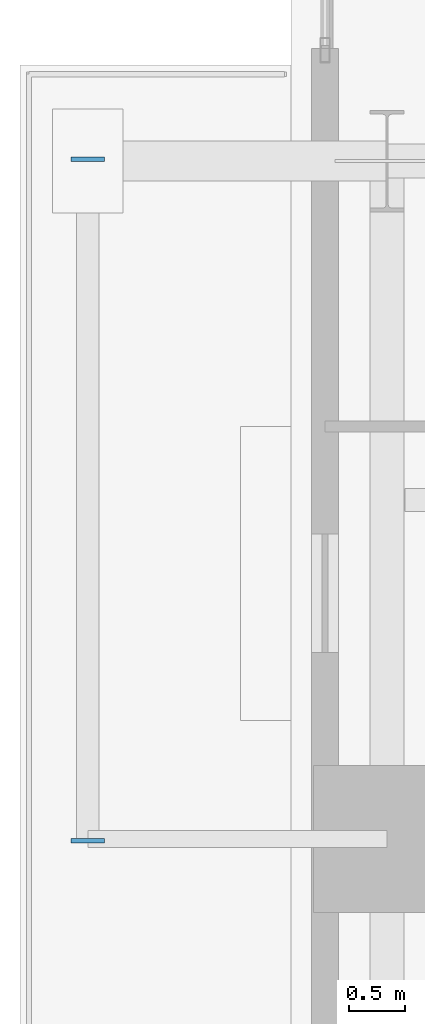
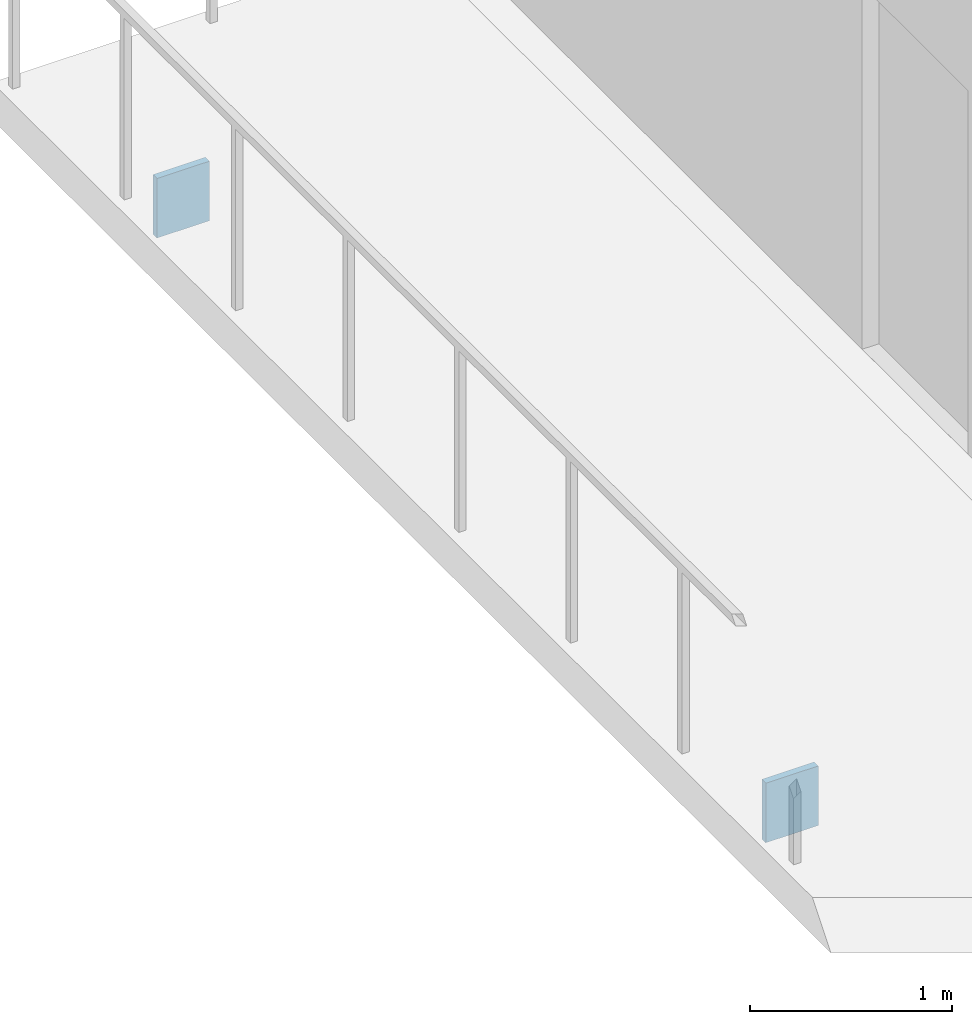
# One storey, part 20 of 27: 2 plates.
"""IFC4 building model written with IfcOpenShell, lengths in metres."""

from ifc_helpers import new_model, si_unit, direction, frame, origin, origin_2d, place, context, subcontext, project, spatial, rectangle, extrude, material, layer, layer_set, type_object, element, save


model = new_model("IFC4")

# Units and contexts
model_context = context("Model", 3, precision=1e-05, world=origin(), true_north=direction((0.0, 1.0)))
body_context = subcontext(model_context, "Body", "Model", "MODEL_VIEW")
ifc_project = project(units=[si_unit("LENGTHUNIT", "METRE"), si_unit("AREAUNIT", "SQUARE_METRE"), si_unit("VOLUMEUNIT", "CUBIC_METRE"), si_unit("PLANEANGLEUNIT", "RADIAN"), si_unit("MASSUNIT", "GRAM", prefix="KILO"), si_unit("THERMODYNAMICTEMPERATUREUNIT", "KELVIN"), si_unit("POWERUNIT", "WATT")], contexts=[model_context])

# Site, building, storey
site_placement = place(None, origin())
site = spatial("IfcSite", under=ifc_project, at=site_placement, CompositionType="ELEMENT")
building_placement = place(site_placement, origin())
building = spatial("IfcBuilding", under=site, at=building_placement, Name="Svarakhadi Broadcast Tower", CompositionType="ELEMENT")
storey_placement = place(building_placement, frame((0.0, 0.0, 40.199951171875)))
storey = spatial("IfcBuildingStorey", under=building, at=storey_placement, Name="L08", CompositionType="ELEMENT", Elevation=40.199951171875)

# Plates
ifc_material = material(Name="Steel S460ML (IS 2062 E450BR)", Category="steel")
ifc_layer = layer(ifc_material, 0.028076171875)
ifc_layer_set = layer_set([ifc_layer], Name="Steel S460ML (IS 2062 E450BR)")
plate_type = type_object("IfcPlateType", Name="Cap_Plate_CP02", PredefinedType="USERDEFINED", material=ifc_layer_set)
for number, where, z_axis, x_axis, name in (
    (1, (-1.800048828125, 35.135009765625, -0.580078125), (0.0, 0.0, 1.0), (1.0, 0.0, 0.0), "L08 Balcony Spandrel End Cap Plate 2F-A"),
    (2, (-1.800048828125, 41.1650390625, -0.580078125), (0.0, 0.0, 1.0), (1.0, 0.0, 0.0), "L08 Balcony Spandrel End Cap Plate 2F-B"),
):
    element("IfcPlate", number, at=place(storey_placement, frame(where, z_axis=z_axis, x_axis=x_axis)), inside=storey, type_object=plate_type, Name=name, ObjectType="FLANGE_PLATE", PredefinedType="USERDEFINED", context=body_context, shape_type="SweptSolid", body=[
        extrude(rectangle(XDim=0.300048828125, YDim=0.0400390625, at=origin_2d()), origin(), (0.0, 0.0, 1.0), 0.360107421875),
    ])

save(model, "model.ifc")
